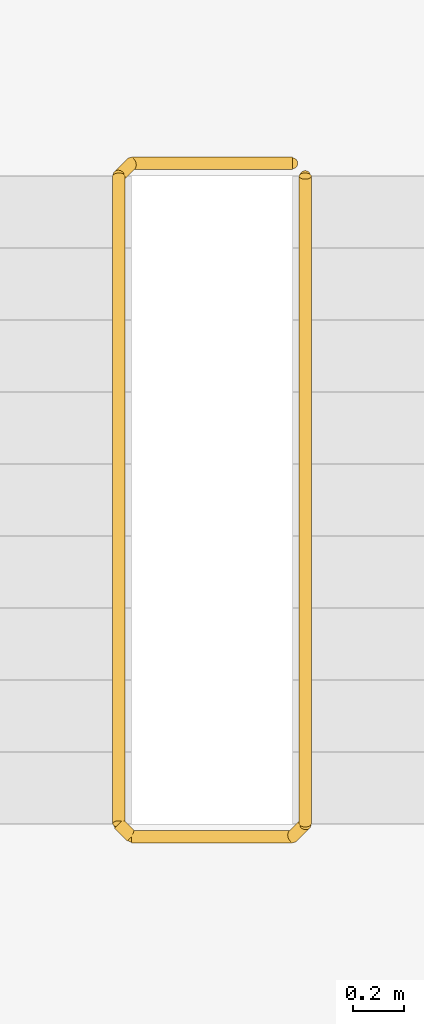
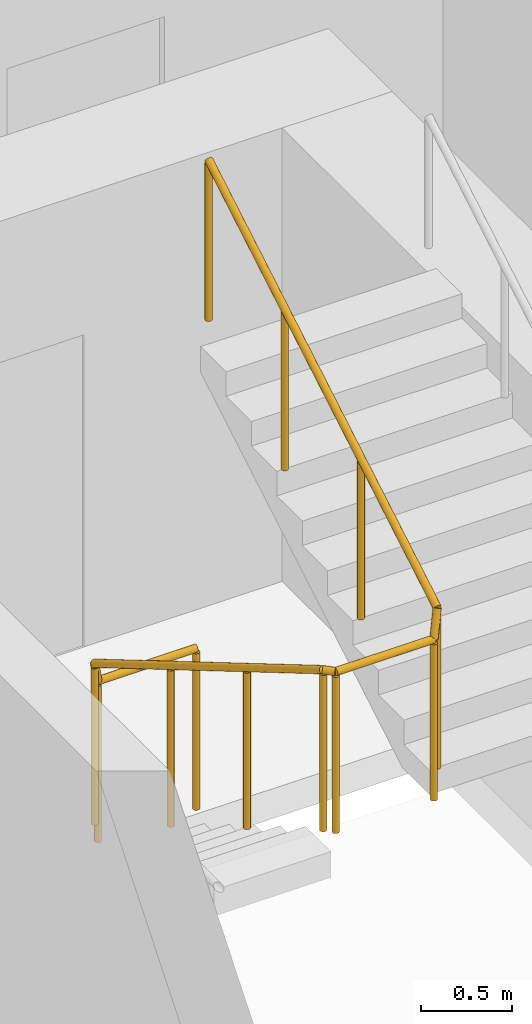
# One storey, part 10 of 11: 1 railing.
"""IFC4 building model written with IfcOpenShell, lengths in metres."""

from ifc_helpers import new_model, si_unit, direction, frame, origin, origin_2d, place, context, subcontext, project, spatial, circle, extrude, material, type_object, element, save


model = new_model("IFC4")

# Units and contexts
model_context = context("Model", 3, precision=1e-05, world=origin(), true_north=direction((0.0, 1.0)))
body_context = subcontext(model_context, "Body", "Model", "MODEL_VIEW")
ifc_project = project(units=[si_unit("LENGTHUNIT", "METRE"), si_unit("AREAUNIT", "SQUARE_METRE"), si_unit("VOLUMEUNIT", "CUBIC_METRE"), si_unit("PLANEANGLEUNIT", "RADIAN"), si_unit("MASSUNIT", "GRAM", prefix="KILO")], contexts=[model_context])

# Site, building, storey
site_placement = place(None, origin())
site = spatial("IfcSite", under=ifc_project, at=site_placement, CompositionType="ELEMENT")
building_placement = place(site_placement, origin())
building = spatial("IfcBuilding", under=site, at=building_placement, Name="Amberfall Residences", CompositionType="ELEMENT")
storey_placement = place(building_placement, frame((0.0, 0.0, 143.800048828125)))
storey = spatial("IfcBuildingStorey", under=building, at=storey_placement, Name="L38", CompositionType="ELEMENT", Elevation=143.800048828125)

# Railing
ifc_material = material(Name="Stainless steel 316", Category="steel")
railing_type = type_object("IfcRailingType", Name="Stair guard 1100", PredefinedType="GUARDRAIL", material=ifc_material)
railing_placement = place(storey_placement, frame((84.300048828125, 55.14990234375, 0.0)))
element("IfcRailing", 1, at=railing_placement, inside=storey, type_object=railing_type, Name="L38 stair 3 guard", PredefinedType="GUARDRAIL", context=body_context, shape_type="SweptSolid", body=[
    extrude(circle(Radius=0.02392578125, at=origin_2d()), frame((0.0, 0.0, 1.076171875), z_axis=(-1.0, 0.0, 0.0), x_axis=(0.0, -1.0, 0.0)), (0.0, 0.0, 1.0), 0.625),
    extrude(circle(Radius=0.02392578125, at=origin_2d()), frame((-0.625, 0.0, 1.076171875), z_axis=(-0.278810427259, -0.277450376394, 0.919394384522), x_axis=(0.705375805398, -0.708833529934, 0.0)), (0.0, 0.0, 1.0), 0.179443359375),
    extrude(circle(Radius=0.02392578125, at=origin_2d()), frame((-0.675048828125, -0.0498046875, 1.2412109375), z_axis=(0.0, -0.861560626758, 0.507654692109), x_axis=(1.0, 0.0, 0.0)), (0.0, 0.0, 1.0), 2.925048828125),
    extrude(circle(Radius=0.02392578125, at=origin_2d()), frame((-0.675048828125, -2.56982421875, 2.72607421875), z_axis=(0.707106781187, -0.707106781187, 0.0), x_axis=(0.707106781187, 0.707106781187, 0.0)), (0.0, 0.0, 1.0), 0.07080078125),
    extrude(circle(Radius=0.02392578125, at=origin_2d()), frame((-0.625, -2.619873046875, 2.72607421875), z_axis=(1.0, 0.0, 0.0), x_axis=(0.0, 1.0, 0.0)), (0.0, 0.0, 1.0), 0.625),
    extrude(circle(Radius=0.02392578125, at=origin_2d()), frame((0.0, -2.619873046875, 2.72607421875), z_axis=(0.278705021027, 0.278705021027, 0.919046801044), x_axis=(-0.707106781187, 0.707106781187, 0.0)), (0.0, 0.0, 1.0), 0.1796875),
    extrude(circle(Radius=0.02392578125, at=origin_2d()), frame((0.050048828125, -2.56982421875, 2.89111328125), z_axis=(0.0, 0.86152411907, 0.507716645641), x_axis=(-1.0, 0.0, 0.0)), (0.0, 0.0, 1.0), 2.925048828125),
    extrude(circle(Radius=0.02099609375, at=origin_2d()), origin(), (0.0, 0.0, 1.0), 1.052001953125),
    extrude(circle(Radius=0.02099609375, at=origin_2d()), frame((-0.625, 0.0, 0.0)), (0.0, 0.0, 1.0), 1.052001953125),
    extrude(circle(Radius=0.02099609375, at=origin_2d()), frame((-0.675048828125, -0.0498046875, 0.1650390625)), (0.0, 0.0, 1.0), 1.052001953125),
    extrude(circle(Radius=0.02099609375, at=origin_2d()), frame((-0.675048828125, -0.889892578125, 0.659912109375)), (0.0, 0.0, 1.0), 1.052001953125),
    extrude(circle(Radius=0.02099609375, at=origin_2d()), frame((-0.675048828125, -1.729736328125, 1.155029296875)), (0.0, 0.0, 1.0), 1.052001953125),
    extrude(circle(Radius=0.02099609375, at=origin_2d()), frame((-0.675048828125, -2.56982421875, 1.64990234375)), (0.0, 0.0, 1.0), 1.052001953125),
    extrude(circle(Radius=0.02099609375, at=origin_2d()), frame((-0.625, -2.619873046875, 1.64990234375)), (0.0, 0.0, 1.0), 1.052001953125),
    extrude(circle(Radius=0.02099609375, at=origin_2d()), frame((0.0, -2.619873046875, 1.64990234375)), (0.0, 0.0, 1.0), 1.052001953125),
    extrude(circle(Radius=0.02099609375, at=origin_2d()), frame((0.050048828125, -2.56982421875, 1.81494140625)), (0.0, 0.0, 1.0), 1.052001953125),
    extrude(circle(Radius=0.02099609375, at=origin_2d()), frame((0.050048828125, -1.729736328125, 2.31005859375)), (0.0, 0.0, 1.0), 1.052001953125),
    extrude(circle(Radius=0.02099609375, at=origin_2d()), frame((0.050048828125, -0.889892578125, 2.804931640625)), (0.0, 0.0, 1.0), 1.052001953125),
    extrude(circle(Radius=0.02099609375, at=origin_2d()), frame((0.050048828125, -0.0498046875, 3.300048828125)), (0.0, 0.0, 1.0), 1.052001953125),
])

save(model, "model.ifc")
